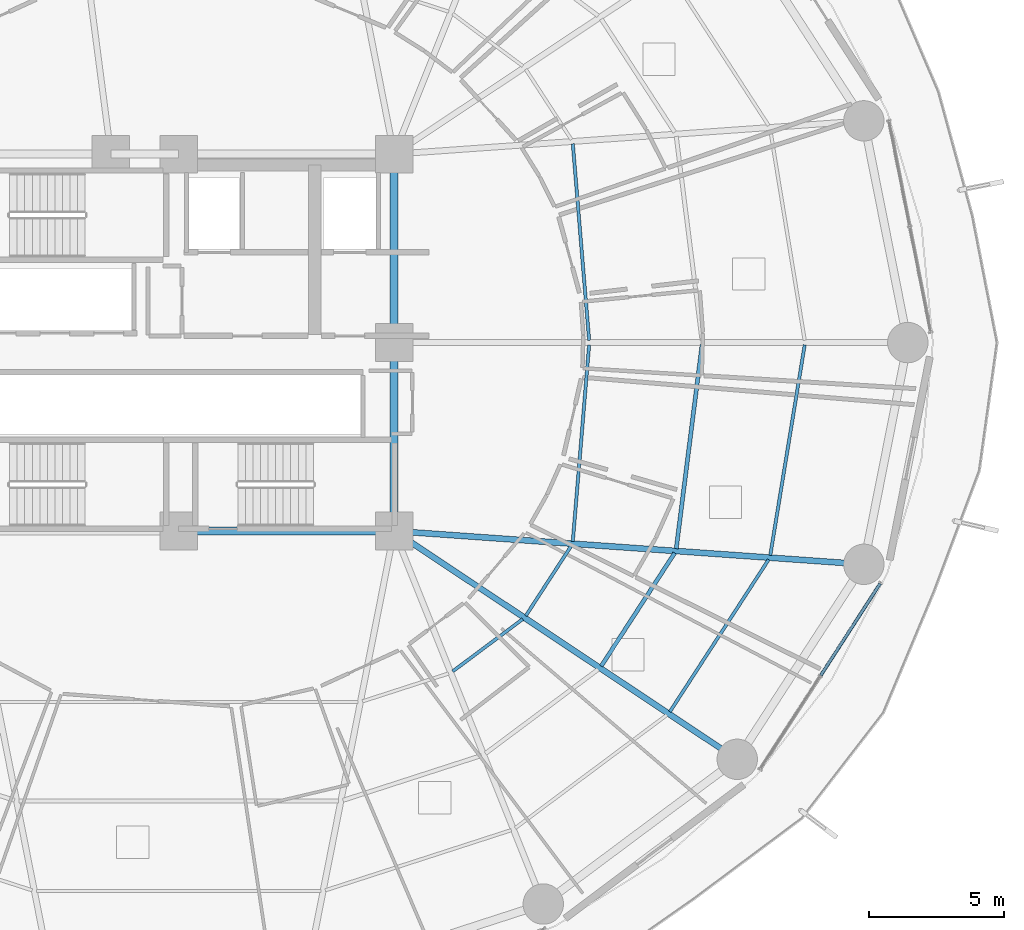
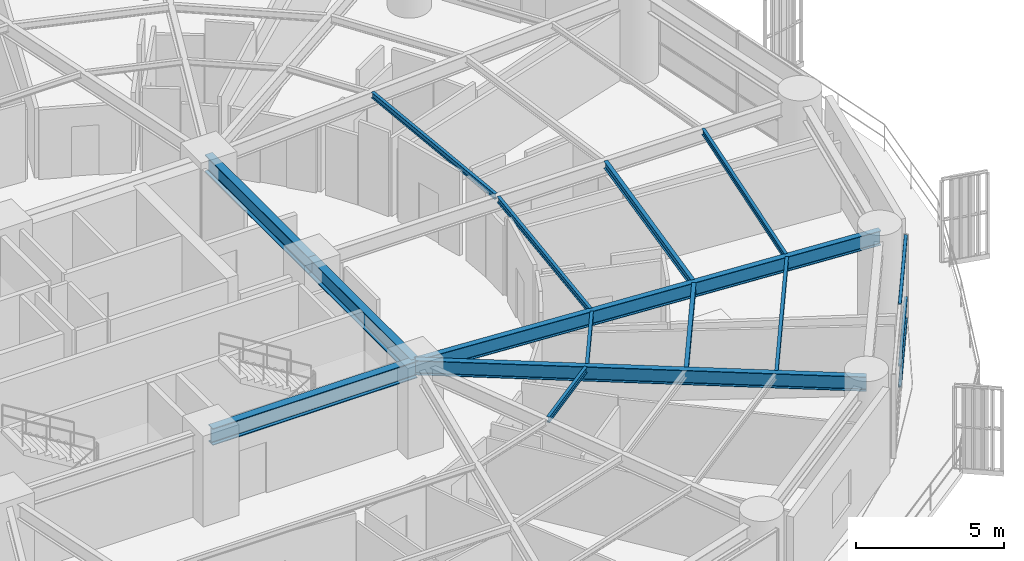
# One storey, part 11 of 31: 13 beams, 3 members, 1 element without a shape of its own.
"""IFC4 building model written with IfcOpenShell, lengths in metres."""

from ifc_helpers import new_model, si_unit, direction, frame, origin, origin_2d, place, context, subcontext, project, spatial, hollow_rectangle, i_section, extrude, material, layer, layer_set, material_profile, profile_set, type_object, element, aggregate, save


model = new_model("IFC4")

# Units and contexts
model_context = context("Model", 3, precision=1e-05, world=origin(), true_north=direction((0.0, 1.0)))
body_context = subcontext(model_context, "Body", "Model", "MODEL_VIEW")
ifc_project = project(units=[si_unit("LENGTHUNIT", "METRE"), si_unit("AREAUNIT", "SQUARE_METRE"), si_unit("VOLUMEUNIT", "CUBIC_METRE"), si_unit("PLANEANGLEUNIT", "RADIAN"), si_unit("MASSUNIT", "GRAM", prefix="KILO")], contexts=[model_context])

# Site, building, storey
site_placement = place(None, origin())
site = spatial("IfcSite", under=ifc_project, at=site_placement, CompositionType="ELEMENT")
building_placement = place(site_placement, origin())
building = spatial("IfcBuilding", under=site, at=building_placement, Name="Kelanora Arch Commons", CompositionType="ELEMENT")
storey_placement = place(building_placement, frame((0.0, 0.0, 63.75)))
storey = spatial("IfcBuildingStorey", under=building, at=storey_placement, Name="L16", CompositionType="ELEMENT", Elevation=63.75)

# Beams
ifc_material_1 = material(Name="Steel S355", Category="steel")
ifc_material_profile_1 = material_profile(ifc_material_1, i_section(OverallWidth=0.300048828125, OverallDepth=0.699951171875, WebThickness=0.01708984375, FlangeThickness=0.031982421875, FilletRadius=0.027099609375, at=origin_2d()), Name="HEB700")
ifc_profile_set_1 = profile_set([ifc_material_profile_1], Name="Steel S355")
beam_type_1 = type_object("IfcBeamType", Name="BM-CORE-HDR", PredefinedType="BEAM", material=ifc_profile_set_1)
beam_1_placement = place(storey_placement, frame((74.0, 51.0, 3.139892578125), z_axis=(1.0, 0.0, 0.0), x_axis=(0.0, 1.0, 0.0)))
element("IfcBeam", 1, at=beam_1_placement, inside=storey, type_object=beam_type_1, Name="Core Header Beam 02 L16", PredefinedType="BEAM", context=body_context, shape_type="SweptSolid", body=[
    extrude(i_section(OverallWidth=0.300048828125, OverallDepth=0.699951171875, WebThickness=0.01708984375, FlangeThickness=0.031982421875, FilletRadius=0.027099609375, at=origin_2d()), origin(), (0.0, 0.0, 1.0), 8.0),
])
for number, where, z_axis, x_axis, name in (
    (2, (82.0, 51.0, 3.139892578125), (0.0, 1.0, 0.0), (-1.0, 0.0, 0.0), "Core Header Beam 03 L16"),
    (3, (82.0, 58.0, 3.139892578125), (0.0, 1.0, 0.0), (-1.0, 0.0, 0.0), "Core Header Beam 04 L16"),
):
    element("IfcBeam", number, at=place(storey_placement, frame(where, z_axis=z_axis, x_axis=x_axis)), inside=storey, type_object=beam_type_1, Name=name, PredefinedType="BEAM", context=body_context, shape_type="SweptSolid", body=[
        extrude(i_section(OverallWidth=0.300048828125, OverallDepth=0.699951171875, WebThickness=0.01708984375, FlangeThickness=0.031982421875, FilletRadius=0.027099609375, at=origin_2d()), origin(), (0.0, 0.0, 1.0), 7.0),
    ])
ifc_material_profile_2 = material_profile(ifc_material_1, i_section(OverallWidth=0.14990234375, OverallDepth=0.300048828125, WebThickness=0.007080078125, FlangeThickness=0.0107421875, FilletRadius=0.014892578125, at=origin_2d()), Name="IPE300")
ifc_profile_set_2 = profile_set([ifc_material_profile_2], Name="Steel S355")
beam_type_2 = type_object("IfcBeamType", Name="BM-JST-01", PredefinedType="JOIST", material=ifc_profile_set_2)
beam_2_placement = place(storey_placement, frame((89.693115234375, 45.984375, 3.340087890625), z_axis=(0.544551588245, 0.838727350061, 0.0), x_axis=(-0.838727350061, 0.544551588245, 0.0)))
element("IfcBeam", 4, at=beam_2_placement, inside=storey, type_object=beam_type_2, Name="Secondary Chord Joist BJB-32 L16", PredefinedType="JOIST", context=body_context, shape_type="SweptSolid", body=[
    extrude(i_section(OverallWidth=0.14990234375, OverallDepth=0.300048828125, WebThickness=0.007080078125, FlangeThickness=0.0107421875, FilletRadius=0.014892578125, at=origin_2d()), origin(), (0.0, 0.0, 1.0), 5.010986328125),
])
beam_3_placement = place(storey_placement, frame((92.478759765625, 50.3427734375, 3.340087890625), z_axis=(0.125565841651, 0.992085288375, 0.0), x_axis=(-0.992085288375, 0.125565841651, 0.0)))
element("IfcBeam", 5, at=beam_3_placement, inside=storey, type_object=beam_type_2, Name="Secondary Chord Joist BJB-34 L16", PredefinedType="JOIST", context=body_context, shape_type="SweptSolid", body=[
    extrude(i_section(OverallWidth=0.14990234375, OverallDepth=0.300048828125, WebThickness=0.007080078125, FlangeThickness=0.0107421875, FilletRadius=0.014892578125, at=origin_2d()), origin(), (0.0, 0.0, 1.0), 7.63330078125),
])
ifc_material_profile_3 = material_profile(ifc_material_1, i_section(OverallWidth=0.1201171875, OverallDepth=0.239990234375, WebThickness=0.006103515625, FlangeThickness=0.009765625, FilletRadius=0.014892578125, at=origin_2d()), Name="IPE240")
ifc_profile_set_3 = profile_set([ifc_material_profile_3], Name="Steel S355")
beam_type_3 = type_object("IfcBeamType", Name="BM-JST-02", PredefinedType="JOIST", material=ifc_profile_set_3)
beam_4_placement = place(storey_placement, frame((89.243408203125, 58.084716796875, 3.3701171875), z_axis=(-0.082786209886, 0.996567330115, 0.0), x_axis=(-0.996567330115, -0.082786209886, 0.0)))
element("IfcBeam", 6, at=beam_4_placement, inside=storey, type_object=beam_type_3, Name="Secondary Chord Joist BJA-00 L16", PredefinedType="JOIST", context=body_context, shape_type="SweptSolid", body=[
    extrude(i_section(OverallWidth=0.1201171875, OverallDepth=0.239990234375, WebThickness=0.006103515625, FlangeThickness=0.009765625, FilletRadius=0.014892578125, at=origin_2d()), origin(), (0.0, 0.0, 1.0), 7.325439453125),
])
beam_5_placement = place(storey_placement, frame((84.17333984375, 45.786376953125, 3.3701171875), z_axis=(0.801513822608, 0.59797624716, 0.0), x_axis=(-0.59797624716, 0.801513822608, 0.0)))
element("IfcBeam", 7, at=beam_5_placement, inside=storey, type_object=beam_type_3, Name="Secondary Chord Joist BJA-30 L16", PredefinedType="JOIST", context=body_context, shape_type="SweptSolid", body=[
    extrude(i_section(OverallWidth=0.1201171875, OverallDepth=0.239990234375, WebThickness=0.006103515625, FlangeThickness=0.009765625, FilletRadius=0.014892578125, at=origin_2d()), origin(), (0.0, 0.0, 1.0), 3.245849609375),
])
beam_6_placement = place(storey_placement, frame((86.88916015625, 47.849609375, 3.3701171875), z_axis=(0.544591105858, 0.838701691557, 0.0), x_axis=(-0.838701691557, 0.544591105858, 0.0)))
element("IfcBeam", 8, at=beam_6_placement, inside=storey, type_object=beam_type_3, Name="Secondary Chord Joist BJA-32 L16", PredefinedType="JOIST", context=body_context, shape_type="SweptSolid", body=[
    extrude(i_section(OverallWidth=0.1201171875, OverallDepth=0.239990234375, WebThickness=0.006103515625, FlangeThickness=0.009765625, FilletRadius=0.014892578125, at=origin_2d()), origin(), (0.0, 0.0, 1.0), 3.111328125),
])
beam_7_placement = place(storey_placement, frame((92.241943359375, 44.288818359375, 3.3701171875), z_axis=(0.544550165372, 0.838728273873, 0.0), x_axis=(-0.838728273873, 0.544550165372, 0.0)))
element("IfcBeam", 9, at=beam_7_placement, inside=storey, type_object=beam_type_3, Name="Secondary Chord Joist BJC-32 L16", PredefinedType="JOIST", context=body_context, shape_type="SweptSolid", body=[
    extrude(i_section(OverallWidth=0.1201171875, OverallDepth=0.239990234375, WebThickness=0.006103515625, FlangeThickness=0.009765625, FilletRadius=0.014892578125, at=origin_2d()), origin(), (0.0, 0.0, 1.0), 6.738037109375),
])
beam_8_placement = place(storey_placement, frame((88.636962890625, 50.614990234375, 3.3701171875), z_axis=(0.082786209886, 0.996567330115, 0.0), x_axis=(-0.996567330115, 0.082786209886, 0.0)))
element("IfcBeam", 10, at=beam_8_placement, inside=storey, type_object=beam_type_3, Name="Secondary Chord Joist BJA-34 L16", PredefinedType="JOIST", context=body_context, shape_type="SweptSolid", body=[
    extrude(i_section(OverallWidth=0.1201171875, OverallDepth=0.239990234375, WebThickness=0.006103515625, FlangeThickness=0.009765625, FilletRadius=0.014892578125, at=origin_2d()), origin(), (0.0, 0.0, 1.0), 7.325439453125),
])
beam_9_placement = place(storey_placement, frame((95.97119140625, 50.09521484375, 3.3701171875), z_axis=(0.161400737199, 0.986888951216, 0.0), x_axis=(-0.986888951216, 0.161400737199, 0.0)))
element("IfcBeam", 11, at=beam_9_placement, inside=storey, type_object=beam_type_3, Name="Secondary Chord Joist BJC-34 L16", PredefinedType="JOIST", context=body_context, shape_type="SweptSolid", body=[
    extrude(i_section(OverallWidth=0.1201171875, OverallDepth=0.239990234375, WebThickness=0.006103515625, FlangeThickness=0.009765625, FilletRadius=0.014892578125, at=origin_2d()), origin(), (0.0, 0.0, 1.0), 7.9248046875),
])
ifc_material_profile_4 = material_profile(ifc_material_1, i_section(OverallWidth=0.219970703125, OverallDepth=0.60009765625, WebThickness=0.011962890625, FlangeThickness=0.01904296875, FilletRadius=0.02392578125, at=origin_2d()), Name="IPE600")
ifc_profile_set_4 = profile_set([ifc_material_profile_4], Name="Steel S355")
beam_type_4 = type_object("IfcBeamType", Name="BM-RAD-Z1", PredefinedType="BEAM", material=ifc_profile_set_4)
beam_10_placement = place(storey_placement, frame((82.0, 51.0, 3.18994140625), z_axis=(0.832592187754, -0.553886494591, 0.0), x_axis=(0.553886494591, 0.832592187754, 0.0)))
element("IfcBeam", 12, at=beam_10_placement, inside=storey, type_object=beam_type_4, Name="Radial Floor Girder BR-32 L16", PredefinedType="BEAM", context=body_context, shape_type="SweptSolid", body=[
    extrude(i_section(OverallWidth=0.219970703125, OverallDepth=0.60009765625, WebThickness=0.011962890625, FlangeThickness=0.01904296875, FilletRadius=0.02392578125, at=origin_2d()), origin(), (0.0, 0.0, 1.0), 15.306884765625),
])
beam_11_placement = place(storey_placement, frame((82.0, 51.0, 3.18994140625), z_axis=(0.997500683472, -0.070656821848, 0.0), x_axis=(0.070656821848, 0.997500683472, 0.0)))
element("IfcBeam", 13, at=beam_11_placement, inside=storey, type_object=beam_type_4, Name="Radial Floor Girder BR-34 L16", PredefinedType="BEAM", context=body_context, shape_type="SweptSolid", body=[
    extrude(i_section(OverallWidth=0.219970703125, OverallDepth=0.60009765625, WebThickness=0.011962890625, FlangeThickness=0.01904296875, FilletRadius=0.02392578125, at=origin_2d()), origin(), (0.0, 0.0, 1.0), 17.49072265625),
])

# Curtain wall, members
ifc_material_2 = material(Name="Terracotta ceramic-fritted low-E glass and aluminium", Category="masonry")
ifc_layer = layer(ifc_material_2, 0.159912109375)
ifc_layer_set = layer_set([ifc_layer], Name="Terracotta ceramic-fritted low-E glass and aluminium")
curtain_wall_type = type_object("IfcCurtainWallType", Name="CW-SYS-01", PredefinedType="NOTDEFINED", material=ifc_layer_set)
curtain_wall_placement = place(storey_placement, origin())
curtain_wall = element("IfcCurtainWall", 14, at=curtain_wall_placement, inside=storey, type_object=curtain_wall_type, Name="Unitised Curtain Wall L16-B16", PredefinedType="NOTDEFINED")
ifc_material_3 = material(Name="Powder-coated aluminium terracotta", Category="masonry")
ifc_material_profile_5 = material_profile(ifc_material_3, hollow_rectangle(XDim=0.1201171875, YDim=0.06005859375, WallThickness=0.0048828125, InnerFilletRadius=0.0048828125, OuterFilletRadius=0.010009765625, at=origin_2d()), Name="CWT120x60")
ifc_profile_set_5 = profile_set([ifc_material_profile_5], Name="Powder-coated aluminium terracotta")
member_type = type_object("IfcMemberType", Name="CWT-STD", PredefinedType="USERDEFINED", material=ifc_profile_set_5)
member_1_placement = place(storey_placement, frame((97.84716796875, 45.638671875, 0.030029296875), z_axis=(0.542997414293, 0.839734367566, 0.0), x_axis=(-0.839734367566, 0.542997414293, 0.0)))
member_1 = element("IfcMember", 15, at=member_1_placement, type_object=member_type, Name="CW-01 transom 2.1", ObjectType="TRANSOM", PredefinedType="USERDEFINED", context=body_context, shape_type="SweptSolid", body=[
    extrude(hollow_rectangle(XDim=0.1201171875, YDim=0.06005859375, WallThickness=0.0048828125, InnerFilletRadius=0.0048828125, OuterFilletRadius=0.010009765625, at=origin_2d()), origin(), (0.0, 0.0, 1.0), 4.067626953125),
])
member_2_placement = place(storey_placement, frame((97.84716796875, 45.638671875, 0.89990234375), z_axis=(0.542997414293, 0.839734367566, 0.0), x_axis=(-0.839734367566, 0.542997414293, 0.0)))
member_2 = element("IfcMember", 16, at=member_2_placement, type_object=member_type, Name="CW-01 transom 2.2", ObjectType="TRANSOM", PredefinedType="USERDEFINED", context=body_context, shape_type="SweptSolid", body=[
    extrude(hollow_rectangle(XDim=0.1201171875, YDim=0.06005859375, WallThickness=0.0048828125, InnerFilletRadius=0.0048828125, OuterFilletRadius=0.010009765625, at=origin_2d()), origin(), (0.0, 0.0, 1.0), 4.067626953125),
])
member_3_placement = place(storey_placement, frame((97.84716796875, 45.638671875, 3.445068359375), z_axis=(0.542997414293, 0.839734367566, 0.0), x_axis=(-0.839734367566, 0.542997414293, 0.0)))
member_3 = element("IfcMember", 17, at=member_3_placement, type_object=member_type, Name="CW-01 transom 2.3", ObjectType="TRANSOM", PredefinedType="USERDEFINED", context=body_context, shape_type="SweptSolid", body=[
    extrude(hollow_rectangle(XDim=0.1201171875, YDim=0.06005859375, WallThickness=0.0048828125, InnerFilletRadius=0.0048828125, OuterFilletRadius=0.010009765625, at=origin_2d()), origin(), (0.0, 0.0, 1.0), 4.067626953125),
])
aggregate(curtain_wall, [member_1, member_2, member_3])

save(model, "model.ifc")
